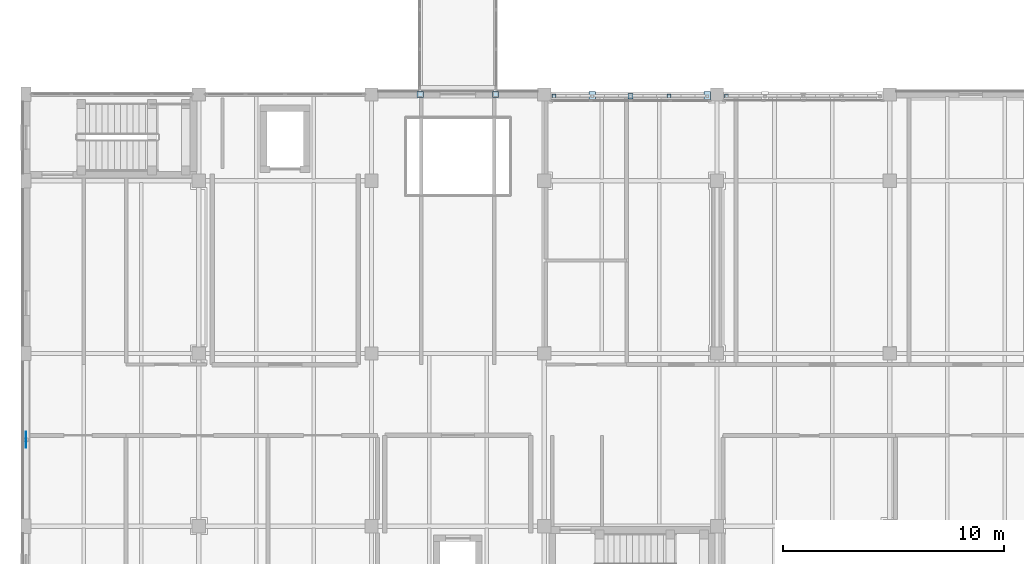
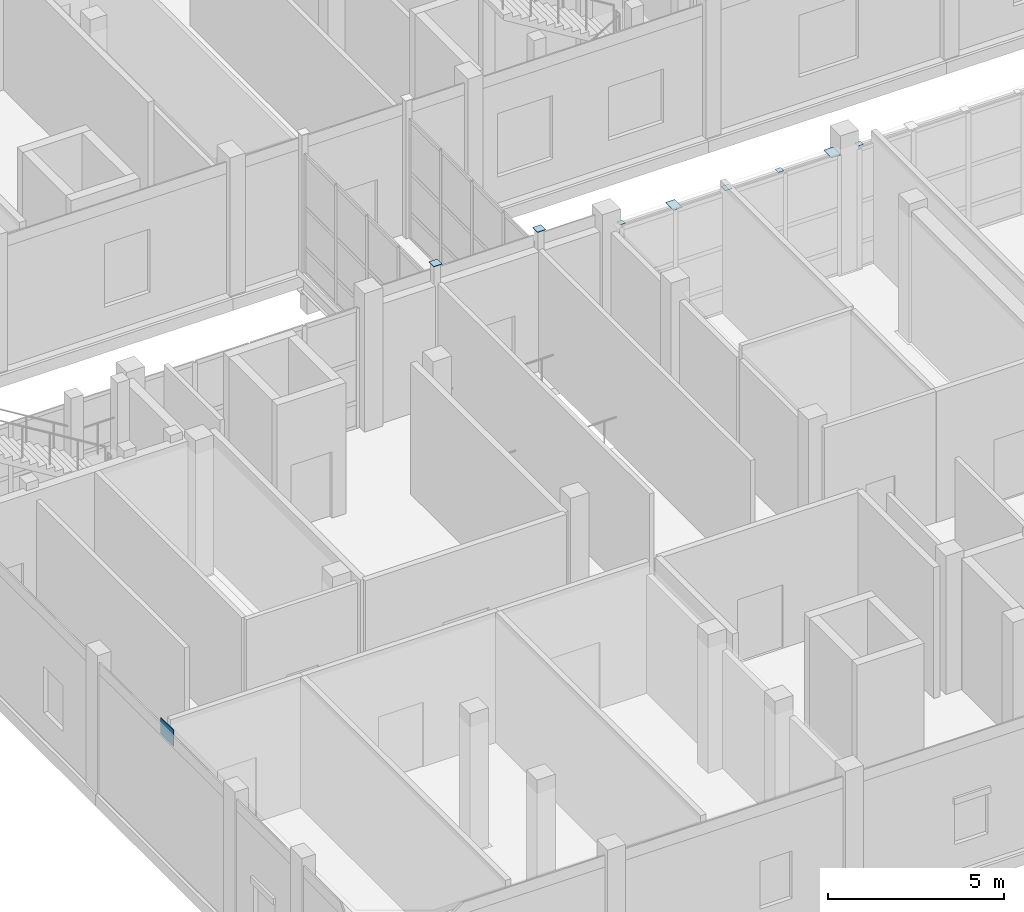
# One storey, part 90 of 138: 9 plates.
"""IFC4 building model written with IfcOpenShell, lengths in metres."""

from ifc_helpers import new_model, si_unit, direction, frame, origin, origin_2d, place, context, subcontext, project, spatial, rectangle, extrude, material, layer, layer_set, type_object, element, save


model = new_model("IFC4")

# Units and contexts
model_context = context("Model", 3, precision=1e-05, world=origin(), true_north=direction((0.0, 1.0)))
body_context = subcontext(model_context, "Body", "Model", "MODEL_VIEW")
ifc_project = project(units=[si_unit("LENGTHUNIT", "METRE"), si_unit("AREAUNIT", "SQUARE_METRE"), si_unit("VOLUMEUNIT", "CUBIC_METRE"), si_unit("PLANEANGLEUNIT", "RADIAN"), si_unit("MASSUNIT", "GRAM", prefix="KILO")], contexts=[model_context])

# Site, building, storey
site_placement = place(None, origin())
site = spatial("IfcSite", under=ifc_project, at=site_placement, CompositionType="ELEMENT")
building_placement = place(site_placement, origin())
building = spatial("IfcBuilding", under=site, at=building_placement, Name="Celorna Specialist Clinic", CompositionType="ELEMENT")
storey_placement = place(building_placement, frame((0.0, 0.0, 4.800048828125)))
storey = spatial("IfcBuildingStorey", under=building, at=storey_placement, Name="L01", CompositionType="ELEMENT", Elevation=4.800048828125)

# Plates
ifc_material = material(Name="Steel S355", Category="steel")
ifc_layer_1 = layer(ifc_material, 0.013916015625, Name="Steel S355")
ifc_layer_set_1 = layer_set([ifc_layer_1], Name="Steel S355")
plate_type_1 = type_object("IfcPlateType", Name="EP-05", PredefinedType="SHEET", material=ifc_layer_set_1)
for number, where, z_axis, x_axis, name in (
    (1, (17.800048828125, 27.300048828125, 4.7998046875), (0.0, 0.0, 1.0), (1.0, 0.0, 0.0), "Hollow column cap plate COL-L01-CT-15-1780-2730"),
    (2, (21.199951171875, 27.300048828125, 4.7998046875), (0.0, 0.0, 1.0), (1.0, 0.0, 0.0), "Hollow column cap plate COL-L01-CT-15-2120-2730"),
):
    element("IfcPlate", number, at=place(storey_placement, frame(where, z_axis=z_axis, x_axis=x_axis)), inside=storey, type_object=plate_type_1, Name=name, PredefinedType="SHEET", context=body_context, shape_type="SweptSolid", body=[
        extrude(rectangle(XDim=0.280029296875, YDim=0.280029296875, at=origin_2d()), origin(), (0.0, 0.0, 1.0), 0.01611328125),
    ])
ifc_layer_2 = layer(ifc_material, 0.011962890625, Name="Steel S355")
ifc_layer_set_2 = layer_set([ifc_layer_2], Name="Steel S355")
plate_type_2 = type_object("IfcPlateType", Name="EP-06", PredefinedType="SHEET", material=ifc_layer_set_2)
for number, where, z_axis, x_axis, name in (
    (3, (23.840087890625, 27.219970703125, 4.14013671875), (0.0, 0.0, 1.0), (1.0, 0.0, 0.0), "Screen post cap plate EP-06 #1731"),
    (4, (29.030029296875, 27.219970703125, 4.14013671875), (0.0, 0.0, 1.0), (1.0, 0.0, 0.0), "Screen post cap plate EP-06 #1734"),
    (5, (31.639892578125, 27.219970703125, 4.14013671875), (0.0, 0.0, 1.0), (1.0, 0.0, 0.0), "Screen post cap plate EP-06 #1752"),
):
    element("IfcPlate", number, at=place(storey_placement, frame(where, z_axis=z_axis, x_axis=x_axis)), inside=storey, type_object=plate_type_2, Name=name, PredefinedType="SHEET", context=body_context, shape_type="SweptSolid", body=[
        extrude(rectangle(XDim=0.179931640625, YDim=0.179931640625, at=origin_2d()), origin(), (0.0, 0.0, 1.0), 0.011962890625),
    ])
ifc_layer_3 = layer(ifc_material, 0.01611328125, Name="Steel S355")
ifc_layer_set_3 = layer_set([ifc_layer_3], Name="Steel S355")
plate_type_3 = type_object("IfcPlateType", Name="EP-07", PredefinedType="SHEET", material=ifc_layer_set_3)
for number, where, z_axis, x_axis, name in (
    (6, (25.570068359375, 27.219970703125, 4.139892578125), (0.0, 0.0, 1.0), (1.0, 0.0, 0.0), "Screen post cap plate EP-07 #1732"),
    (7, (30.760009765625, 27.219970703125, 4.139892578125), (0.0, 0.0, 1.0), (1.0, 0.0, 0.0), "Screen post cap plate EP-07 #1735"),
):
    element("IfcPlate", number, at=place(storey_placement, frame(where, z_axis=z_axis, x_axis=x_axis)), inside=storey, type_object=plate_type_3, Name=name, PredefinedType="SHEET", context=body_context, shape_type="SweptSolid", body=[
        extrude(rectangle(XDim=0.300048828125, YDim=0.43994140625, at=origin_2d()), origin(), (0.0, 0.0, 1.0), 0.01611328125),
    ])
ifc_layer_4 = layer(ifc_material, 0.013916015625, Name="Steel S355")
ifc_layer_set_4 = layer_set([ifc_layer_4], Name="Steel S355")
plate_type_4 = type_object("IfcPlateType", Name="EP-08", PredefinedType="SHEET", material=ifc_layer_set_4)
plate_1_placement = place(storey_placement, frame((27.300048828125, 27.219970703125, 4.14013671875), z_axis=(0.0, 0.0, 1.0), x_axis=(1.0, 0.0, 0.0)))
element("IfcPlate", 8, at=plate_1_placement, inside=storey, type_object=plate_type_4, Name="Screen post cap plate EP-08 #1733", PredefinedType="SHEET", context=body_context, shape_type="SweptSolid", body=[
    extrude(rectangle(XDim=0.239990234375, YDim=0.239990234375, at=origin_2d()), origin(), (0.0, 0.0, 1.0), 0.013916015625),
])
ifc_layer_5 = layer(ifc_material, 0.02490234375, Name="Steel S355")
ifc_layer_set_5 = layer_set([ifc_layer_5], Name="Steel S355")
plate_type_5 = type_object("IfcPlateType", Name="GP-02", PredefinedType="USERDEFINED", material=ifc_layer_set_5)
plate_2_placement = place(storey_placement, frame((0.0, 11.699951171875, 3.969970703125), z_axis=(0.0, 0.0, 1.0), x_axis=(0.0, 1.0, 0.0)))
element("IfcPlate", 9, at=plate_2_placement, inside=storey, type_object=plate_type_5, Name="Chevron apex gusset plate GP-02 #76", ObjectType="GUSSET PLATE", PredefinedType="USERDEFINED", context=body_context, shape_type="SweptSolid", body=[
    extrude(rectangle(XDim=0.719970703125, YDim=0.02490234375, at=origin_2d()), origin(), (0.0, 0.0, 1.0), 0.56005859375),
])

save(model, "model.ifc")
